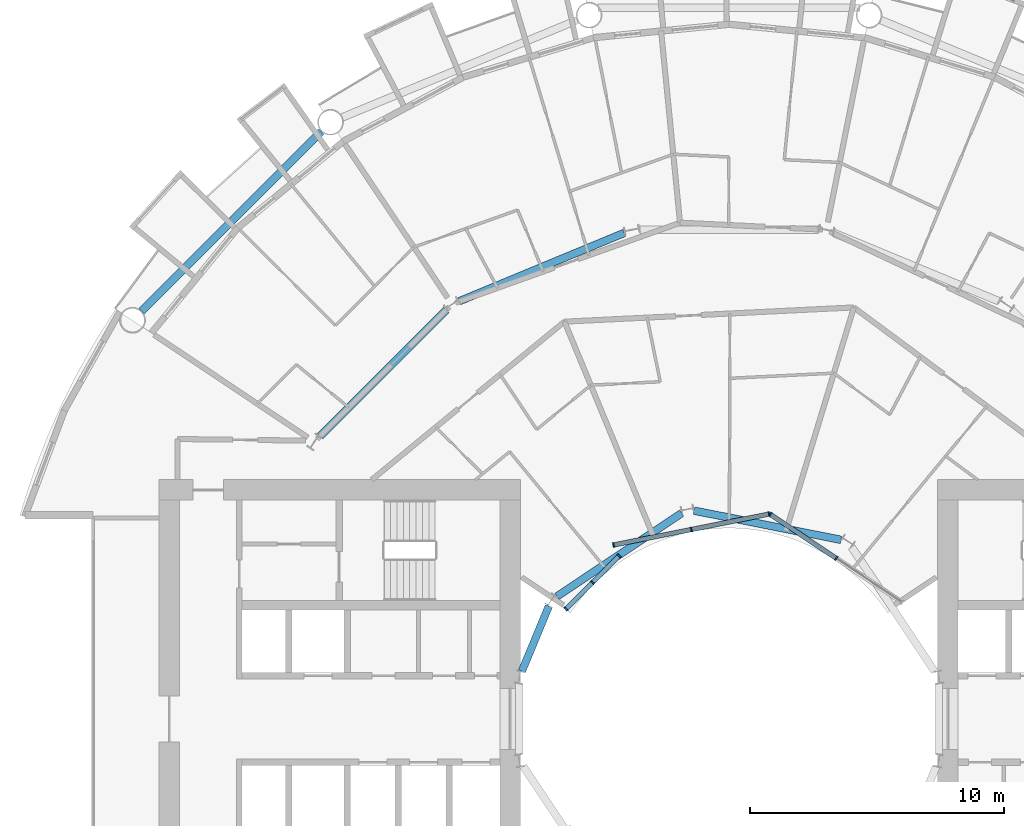
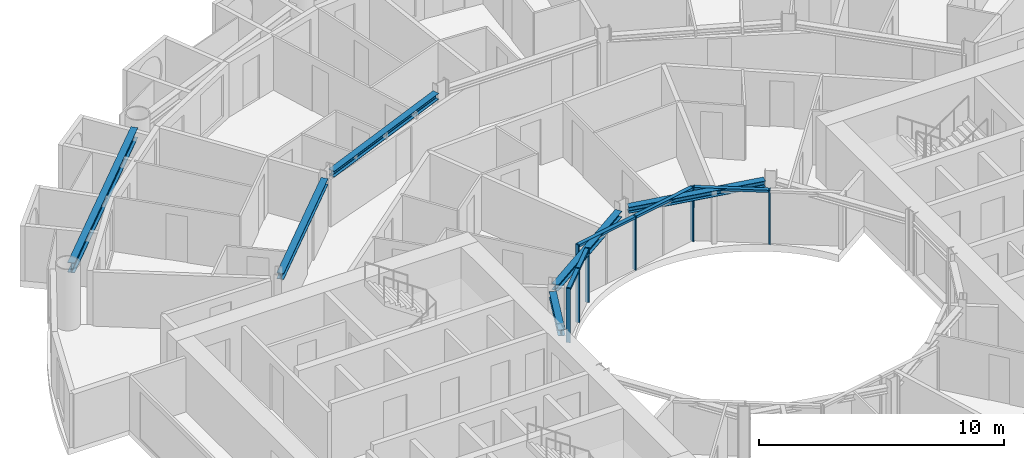
# One storey, part 7 of 25: 13 members, 6 beams, 3 elements without a shape of their own.
"""IFC4 building model written with IfcOpenShell, lengths in metres."""

from ifc_helpers import new_model, si_unit, direction, frame, origin, origin_2d, place, context, subcontext, project, spatial, rectangle, i_section, extrude, material, layer, layer_set, material_profile, profile_set, type_object, element, aggregate, save


model = new_model("IFC4")

# Units and contexts
model_context = context("Model", 3, precision=1e-05, world=origin(), true_north=direction((0.0, 1.0)))
body_context = subcontext(model_context, "Body", "Model", "MODEL_VIEW")
ifc_project = project(units=[si_unit("LENGTHUNIT", "METRE"), si_unit("AREAUNIT", "SQUARE_METRE"), si_unit("VOLUMEUNIT", "CUBIC_METRE"), si_unit("PLANEANGLEUNIT", "RADIAN"), si_unit("MASSUNIT", "GRAM", prefix="KILO")], contexts=[model_context])

# Site, building, storey
site_placement = place(None, origin())
site = spatial("IfcSite", under=ifc_project, at=site_placement, CompositionType="ELEMENT")
building_placement = place(site_placement, origin())
building = spatial("IfcBuilding", under=site, at=building_placement, Name="Maasbend Ring Residences", CompositionType="ELEMENT")
storey_placement = place(building_placement, frame((0.0, 0.0, 41.10009765625)))
storey = spatial("IfcBuildingStorey", under=building, at=storey_placement, Name="L11", CompositionType="ELEMENT", Elevation=41.10009765625)

# Curtain wall, members
ifc_material_1 = material(Name="Aluminium and clear glass", Category="aluminium")
ifc_layer = layer(ifc_material_1, 0.179931640625)
ifc_layer_set = layer_set([ifc_layer], Name="CW-W")
curtain_wall_type = type_object("IfcCurtainWallType", Name="CW-W", PredefinedType="NOTDEFINED", material=ifc_layer_set)
curtain_wall_1_placement = place(storey_placement, origin())
curtain_wall_1 = element("IfcCurtainWall", 1, at=curtain_wall_1_placement, inside=storey, type_object=curtain_wall_type, Name="Well curtain wall N1", PredefinedType="NOTDEFINED")
ifc_material_2 = material(Name="Aluminium 6063-T6", Category="aluminium")
ifc_material_profile_1 = material_profile(ifc_material_2, rectangle(XDim=0.179931640625, YDim=0.06005859375, at=origin_2d()), Name="AL 180x60")
ifc_profile_set_1 = profile_set([ifc_material_profile_1], Name="Aluminium 6063-T6")
member_type_1 = type_object("IfcMemberType", Name="CWM-W", PredefinedType="MULLION", material=ifc_profile_set_1)
member_1_placement = place(storey_placement, frame((4.216796875, 6.310791015625, 0.0), z_axis=(0.0, 0.0, 1.0), x_axis=(-0.55557023302, -0.831469612303, 0.0)))
member_1 = element("IfcMember", 2, at=member_1_placement, type_object=member_type_1, Name="Mullion well face", PredefinedType="MULLION", context=body_context, shape_type="SweptSolid", body=[
    extrude(rectangle(XDim=0.179931640625, YDim=0.06005859375, at=origin_2d()), origin(), (0.0, 0.0, 1.0), 2.699951171875),
])
member_2_placement = place(storey_placement, frame((1.627685546875, 8.040771484375, 0.0), z_axis=(0.0, 0.0, 1.0), x_axis=(-0.55557023302, -0.831469612303, 0.0)))
member_2 = element("IfcMember", 3, at=member_2_placement, type_object=member_type_1, Name="Mullion well face", PredefinedType="MULLION", context=body_context, shape_type="SweptSolid", body=[
    extrude(rectangle(XDim=0.179931640625, YDim=0.06005859375, at=origin_2d()), origin(), (0.0, 0.0, 1.0), 2.699951171875),
])

curtain_wall_2_placement = place(storey_placement, origin())
curtain_wall_2 = element("IfcCurtainWall", 4, at=curtain_wall_2_placement, inside=storey, type_object=curtain_wall_type, Name="Well curtain wall N2", PredefinedType="NOTDEFINED")
member_3_placement = place(storey_placement, frame((1.5732421875, 8.0517578125, 0.0), z_axis=(0.0, 0.0, 1.0), x_axis=(0.195090322016, -0.980785280403, 0.0)))
member_3 = element("IfcMember", 5, at=member_3_placement, type_object=member_type_1, Name="Mullion well face", PredefinedType="MULLION", context=body_context, shape_type="SweptSolid", body=[
    extrude(rectangle(XDim=0.179931640625, YDim=0.06005859375, at=origin_2d()), origin(), (0.0, 0.0, 1.0), 2.699951171875),
])
member_4_placement = place(storey_placement, frame((-1.480712890625, 7.444091796875, 0.0), z_axis=(0.0, 0.0, 1.0), x_axis=(0.195090322016, -0.980785280403, 0.0)))
member_4 = element("IfcMember", 6, at=member_4_placement, type_object=member_type_1, Name="Mullion well face", PredefinedType="MULLION", context=body_context, shape_type="SweptSolid", body=[
    extrude(rectangle(XDim=0.179931640625, YDim=0.06005859375, at=origin_2d()), origin(), (0.0, 0.0, 1.0), 2.699951171875),
])
member_5_placement = place(storey_placement, frame((-4.53466796875, 6.836669921875, 0.0), z_axis=(0.0, 0.0, 1.0), x_axis=(0.195090322016, -0.980785280403, 0.0)))
member_5 = element("IfcMember", 7, at=member_5_placement, type_object=member_type_1, Name="Mullion well face", PredefinedType="MULLION", context=body_context, shape_type="SweptSolid", body=[
    extrude(rectangle(XDim=0.179931640625, YDim=0.06005859375, at=origin_2d()), origin(), (0.0, 0.0, 1.0), 2.699951171875),
])

curtain_wall_3_placement = place(storey_placement, origin())
curtain_wall_3 = element("IfcCurtainWall", 8, at=curtain_wall_3_placement, inside=storey, type_object=curtain_wall_type, Name="Well curtain wall N3", PredefinedType="NOTDEFINED")
member_6_placement = place(storey_placement, frame((-4.320556640625, 6.413330078125, 0.0), z_axis=(0.0, 0.0, 1.0), x_axis=(0.707106781187, -0.707106781187, 0.0)))
member_6 = element("IfcMember", 9, at=member_6_placement, type_object=member_type_1, Name="Mullion well face", PredefinedType="MULLION", context=body_context, shape_type="SweptSolid", body=[
    extrude(rectangle(XDim=0.179931640625, YDim=0.06005859375, at=origin_2d()), origin(), (0.0, 0.0, 1.0), 2.699951171875),
])
member_7_placement = place(storey_placement, frame((-5.366943359375, 5.366943359375, 0.0), z_axis=(0.0, 0.0, 1.0), x_axis=(0.707106781187, -0.707106781187, 0.0)))
member_7 = element("IfcMember", 10, at=member_7_placement, type_object=member_type_1, Name="Mullion well face", PredefinedType="MULLION", context=body_context, shape_type="SweptSolid", body=[
    extrude(rectangle(XDim=0.179931640625, YDim=0.06005859375, at=origin_2d()), origin(), (0.0, 0.0, 1.0), 2.699951171875),
])
member_8_placement = place(storey_placement, frame((-6.413330078125, 4.320556640625, 0.0), z_axis=(0.0, 0.0, 1.0), x_axis=(0.707106781187, -0.707106781187, 0.0)))
member_8 = element("IfcMember", 11, at=member_8_placement, type_object=member_type_1, Name="Mullion well face", PredefinedType="MULLION", context=body_context, shape_type="SweptSolid", body=[
    extrude(rectangle(XDim=0.179931640625, YDim=0.06005859375, at=origin_2d()), origin(), (0.0, 0.0, 1.0), 2.699951171875),
])

# Member
ifc_material_3 = material(Name="Aluminium 6063-T6", Category="aluminium")
ifc_material_profile_2 = material_profile(ifc_material_3, rectangle(XDim=0.179931640625, YDim=0.1201171875, at=origin_2d()), Name="AL 180x120")
ifc_profile_set_2 = profile_set([ifc_material_profile_2], Name="Aluminium 6063-T6")
member_type_2 = type_object("IfcMemberType", Name="CWT-W", PredefinedType="USERDEFINED", material=ifc_profile_set_2)
member_9_placement = place(storey_placement, frame((4.19189453125, 6.32763671875, 2.639892578125), z_axis=(-0.831496422459, 0.555530106689, 0.0), x_axis=(-0.555530106689, -0.831496422459, 0.0)))
member_9 = element("IfcMember", 12, at=member_9_placement, type_object=member_type_2, Name="Transom well face", ObjectType="TRANSOM", PredefinedType="USERDEFINED", context=body_context, shape_type="SweptSolid", body=[
    extrude(rectangle(XDim=0.179931640625, YDim=0.1201171875, at=origin_2d()), origin(), (0.0, 0.0, 1.0), 3.053955078125),
])

aggregate(curtain_wall_1, [member_1, member_2, member_9])

member_10_placement = place(storey_placement, frame((1.5439453125, 8.0458984375, 2.639892578125), z_axis=(-0.980776956105, -0.195132166424, 0.0), x_axis=(0.195132166424, -0.980776956105, 0.0)))
member_10 = element("IfcMember", 13, at=member_10_placement, type_object=member_type_2, Name="Transom well face", ObjectType="TRANSOM", PredefinedType="USERDEFINED", context=body_context, shape_type="SweptSolid", body=[
    extrude(rectangle(XDim=0.179931640625, YDim=0.1201171875, at=origin_2d()), origin(), (0.0, 0.0, 1.0), 3.053955078125),
])

member_11_placement = place(storey_placement, frame((-1.51025390625, 7.438232421875, 2.639892578125), z_axis=(-0.980789210404, -0.19507056353, 0.0), x_axis=(0.19507056353, -0.980789210404, 0.0)))
member_11 = element("IfcMember", 14, at=member_11_placement, type_object=member_type_2, Name="Transom well face", ObjectType="TRANSOM", PredefinedType="USERDEFINED", context=body_context, shape_type="SweptSolid", body=[
    extrude(rectangle(XDim=0.179931640625, YDim=0.1201171875, at=origin_2d()), origin(), (0.0, 0.0, 1.0), 3.0537109375),
])

aggregate(curtain_wall_2, [member_3, member_4, member_5, member_10, member_11])

member_12_placement = place(storey_placement, frame((-4.341796875, 6.39208984375, 2.639892578125), z_axis=(-0.707106781187, -0.707106781187, 0.0), x_axis=(0.707106781187, -0.707106781187, 0.0)))
member_12 = element("IfcMember", 15, at=member_12_placement, type_object=member_type_2, Name="Transom well face", ObjectType="TRANSOM", PredefinedType="USERDEFINED", context=body_context, shape_type="SweptSolid", body=[
    extrude(rectangle(XDim=0.179931640625, YDim=0.1201171875, at=origin_2d()), origin(), (0.0, 0.0, 1.0), 1.419677734375),
])

member_13_placement = place(storey_placement, frame((-5.38818359375, 5.345703125, 2.639892578125), z_axis=(-0.707106781187, -0.707106781187, 0.0), x_axis=(0.707106781187, -0.707106781187, 0.0)))
member_13 = element("IfcMember", 16, at=member_13_placement, type_object=member_type_2, Name="Transom well face", ObjectType="TRANSOM", PredefinedType="USERDEFINED", context=body_context, shape_type="SweptSolid", body=[
    extrude(rectangle(XDim=0.179931640625, YDim=0.1201171875, at=origin_2d()), origin(), (0.0, 0.0, 1.0), 1.419677734375),
])

aggregate(curtain_wall_3, [member_6, member_7, member_8, member_12, member_13])

# Beams
ifc_material_4 = material(Name="Steel S355J2", Category="steel")
ifc_material_profile_3 = material_profile(ifc_material_4, i_section(OverallWidth=0.300048828125, OverallDepth=0.300048828125, WebThickness=0.010986328125, FlangeThickness=0.01904296875, FilletRadius=0.027099609375, at=origin_2d()), Name="HEB 300")
ifc_profile_set_3 = profile_set([ifc_material_profile_3], Name="Steel S355J2")
beam_type_1 = type_object("IfcBeamType", Name="Corridor ring beam HEB 300", PredefinedType="BEAM", material=ifc_profile_set_3)
beam_1_placement = place(storey_placement, frame((-4.11572265625, 19.102294921875, 2.5498046875), z_axis=(-0.923886196809, -0.38266734293, 0.0), x_axis=(0.38266734293, -0.923886196809, 0.0)))
element("IfcBeam", 17, at=beam_1_placement, inside=storey, type_object=beam_type_1, Name="Corridor ring beam", PredefinedType="BEAM", context=body_context, shape_type="SweptSolid", body=[
    extrude(i_section(OverallWidth=0.300048828125, OverallDepth=0.300048828125, WebThickness=0.010986328125, FlangeThickness=0.01904296875, FilletRadius=0.027099609375, at=origin_2d()), origin(), (0.0, 0.0, 1.0), 7.015380859375),
])
beam_2_placement = place(storey_placement, frame((-11.11279296875, 16.0732421875, 2.5498046875), z_axis=(-0.707106781187, -0.707106781187, 0.0), x_axis=(0.707106781187, -0.707106781187, 0.0)))
element("IfcBeam", 18, at=beam_2_placement, inside=storey, type_object=beam_type_1, Name="Corridor ring beam", PredefinedType="BEAM", context=body_context, shape_type="SweptSolid", body=[
    extrude(i_section(OverallWidth=0.300048828125, OverallDepth=0.300048828125, WebThickness=0.010986328125, FlangeThickness=0.01904296875, FilletRadius=0.027099609375, at=origin_2d()), origin(), (0.0, 0.0, 1.0), 7.01513671875),
])
ifc_material_5 = material(Name="Steel S355J2", Category="steel")
ifc_material_profile_4 = material_profile(ifc_material_5, i_section(OverallWidth=0.300048828125, OverallDepth=0.5, WebThickness=0.014404296875, FlangeThickness=0.028076171875, FilletRadius=0.027099609375, at=origin_2d()), Name="HEB 500")
ifc_profile_set_4 = profile_set([ifc_material_profile_4], Name="Steel S355J2")
beam_type_2 = type_object("IfcBeamType", Name="Spandrel ring beam HEB 500", PredefinedType="SPANDREL", material=ifc_profile_set_4)
beam_3_placement = place(storey_placement, frame((-16.0263671875, 23.088134765625, 2.449951171875), z_axis=(-0.707106781187, -0.707106781187, 0.0), x_axis=(0.707106781187, -0.707106781187, 0.0)))
element("IfcBeam", 19, at=beam_3_placement, inside=storey, type_object=beam_type_2, Name="Spandrel ring beam", PredefinedType="SPANDREL", context=body_context, shape_type="SweptSolid", body=[
    extrude(i_section(OverallWidth=0.300048828125, OverallDepth=0.5, WebThickness=0.014404296875, FlangeThickness=0.028076171875, FilletRadius=0.027099609375, at=origin_2d()), origin(), (0.0, 0.0, 1.0), 9.98681640625),
])
ifc_material_6 = material(Name="Steel S355J2", Category="steel")
ifc_material_profile_5 = material_profile(ifc_material_6, i_section(OverallWidth=0.300048828125, OverallDepth=0.300048828125, WebThickness=0.010986328125, FlangeThickness=0.01904296875, FilletRadius=0.027099609375, at=origin_2d()), Name="HEB 300")
ifc_profile_set_5 = profile_set([ifc_material_profile_5], Name="Steel S355J2")
beam_type_3 = type_object("IfcBeamType", Name="Well edge beam HEB 300", PredefinedType="BEAM", material=ifc_profile_set_5)
beam_4_placement = place(storey_placement, frame((4.4013671875, 7.037109375, 2.5498046875), z_axis=(-0.980784282486, 0.195095338819, 0.0), x_axis=(-0.195095338819, -0.980784282486, 0.0)))
element("IfcBeam", 20, at=beam_4_placement, inside=storey, type_object=beam_type_3, Name="Well edge beam", PredefinedType="BEAM", context=body_context, shape_type="SweptSolid", body=[
    extrude(i_section(OverallWidth=0.300048828125, OverallDepth=0.300048828125, WebThickness=0.010986328125, FlangeThickness=0.01904296875, FilletRadius=0.027099609375, at=origin_2d()), origin(), (0.0, 0.0, 1.0), 5.8876953125),
])
beam_5_placement = place(storey_placement, frame((-1.86376953125, 8.08837890625, 2.5498046875), z_axis=(-0.831456549723, -0.555589782054, 0.0), x_axis=(0.555589782054, -0.831456549723, 0.0)))
element("IfcBeam", 21, at=beam_5_placement, inside=storey, type_object=beam_type_3, Name="Well edge beam", PredefinedType="BEAM", context=body_context, shape_type="SweptSolid", body=[
    extrude(i_section(OverallWidth=0.300048828125, OverallDepth=0.300048828125, WebThickness=0.010986328125, FlangeThickness=0.01904296875, FilletRadius=0.027099609375, at=origin_2d()), origin(), (0.0, 0.0, 1.0), 5.887939453125),
])
beam_6_placement = place(storey_placement, frame((-7.081787109375, 4.431396484375, 2.5498046875), z_axis=(-0.382723119906, -0.923863092395, 0.0), x_axis=(0.923863092395, -0.382723119906, 0.0)))
element("IfcBeam", 22, at=beam_6_placement, inside=storey, type_object=beam_type_3, Name="Well edge beam", PredefinedType="BEAM", context=body_context, shape_type="SweptSolid", body=[
    extrude(i_section(OverallWidth=0.300048828125, OverallDepth=0.300048828125, WebThickness=0.010986328125, FlangeThickness=0.01904296875, FilletRadius=0.027099609375, at=origin_2d()), origin(), (0.0, 0.0, 1.0), 2.767822265625),
])

save(model, "model.ifc")
